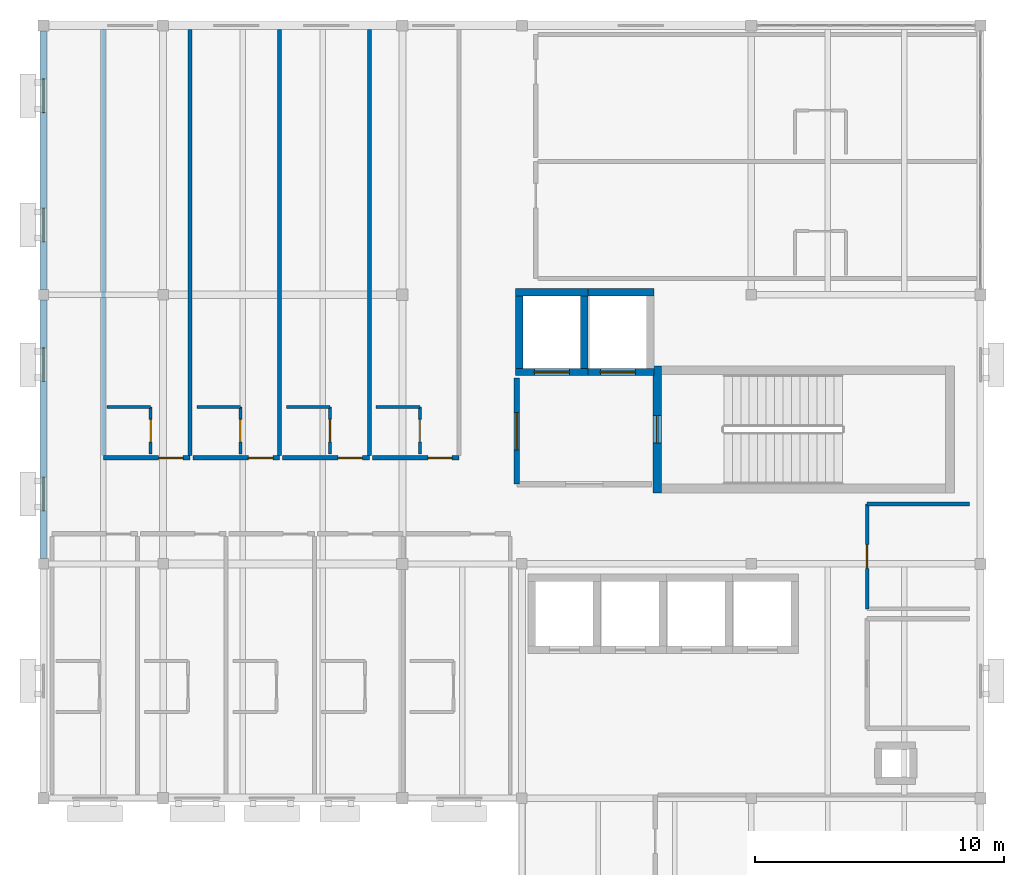
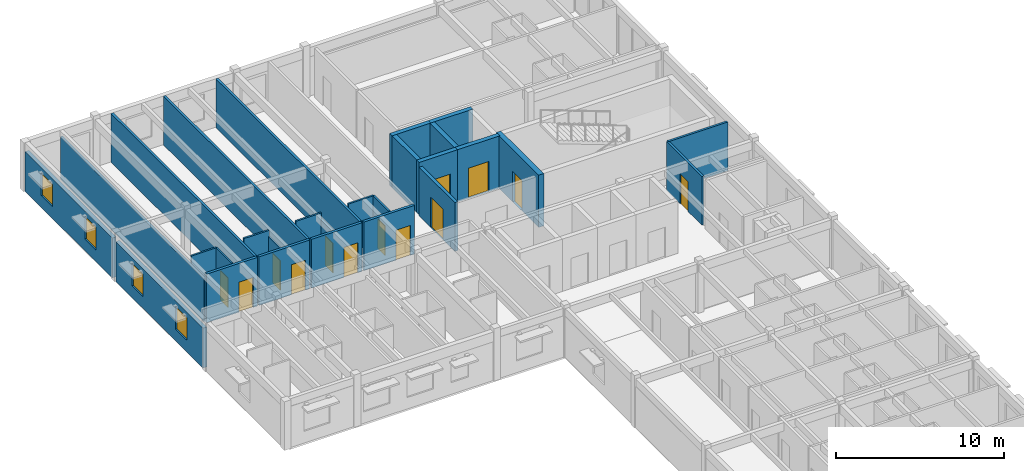
# One storey, part 9 of 14: 28 walls, 13 doors, 4 windows, 17 openings.
"""IFC4 building model written with IfcOpenShell, lengths in metres."""

from ifc_helpers import new_model, si_unit, direction, frame, frame_2d, origin, place, context, subcontext, project, spatial, rectangle, extrude, material, layer, layer_set, type_object, element, fill, save


model = new_model("IFC4")

# Units and contexts
model_context = context("Model", 3, precision=1e-05, world=origin(), true_north=direction((0.0, 1.0)))
body_context = subcontext(model_context, "Body", "Model", "MODEL_VIEW")
ifc_project = project(units=[si_unit("LENGTHUNIT", "METRE"), si_unit("AREAUNIT", "SQUARE_METRE"), si_unit("VOLUMEUNIT", "CUBIC_METRE"), si_unit("PLANEANGLEUNIT", "RADIAN"), si_unit("MASSUNIT", "GRAM", prefix="KILO")], contexts=[model_context])

# Site, building, storey
site_placement = place(None, origin())
site = spatial("IfcSite", under=ifc_project, at=site_placement, CompositionType="ELEMENT")
building_placement = place(site_placement, origin())
building = spatial("IfcBuilding", under=site, at=building_placement, Name="Veldera Park Congress Hotel", CompositionType="ELEMENT")
storey_placement = place(building_placement, frame((0.0, 0.0, 42.800048828125)))
storey = spatial("IfcBuildingStorey", under=building, at=storey_placement, Name="L10", CompositionType="ELEMENT", Elevation=42.800048828125)

# Wall, openings, windows
ifc_material_1 = material(Name="Cross-laminated timber CLT V2M1.1", Category="wood")
ifc_layer_1 = layer(ifc_material_1, 0.264892578125)
ifc_layer_set_1 = layer_set([ifc_layer_1], Name="Cross-laminated timber CLT V2M1.1")
wall_type_1 = type_object("IfcWallType", Name="EW-CLT265", PredefinedType="STANDARD", material=ifc_layer_set_1)
wall_1_placement = place(storey_placement, frame((46.39990234375, 57.777099609375, 0.0), z_axis=(0.0, 0.0, 1.0), x_axis=(0.0, -1.0, 0.0)))
wall_1 = element("IfcWall", 1, at=wall_1_placement, inside=storey, type_object=wall_type_1, Name="L10 Exterior Wall EW3-L10-0437", PredefinedType="STANDARD", context=body_context, shape_type="SweptSolid", body=[
    extrude(rectangle(XDim=10.369140625, YDim=0.264892578125, at=frame_2d((5.1845703125, 0.0))), origin(), (0.0, 0.0, 1.0), 2.89501953125),
])
opening_1_placement = place(wall_1_placement, frame((1.917236328125, 0.0, 0.85009765625)))
opening_1 = element("IfcOpeningElement", 2, at=opening_1_placement, cuts=wall_1, Name="Opening WIN-1350", PredefinedType="OPENING", context=body_context, shape_type="SweptSolid", body=[
    extrude(rectangle(XDim=1.35009765625, YDim=1.64990234375, at=frame_2d((0.675048828125, 0.824951171875))), frame((0.0, 0.14453125, 0.0), z_axis=(0.0, -1.0, 0.0), x_axis=(1.0, 0.0, 0.0)), (0.0, 0.0, 1.0), 0.288818359375),
])
opening_2_placement = place(wall_1_placement, frame((7.101806640625, 0.0, 0.85009765625)))
opening_2 = element("IfcOpeningElement", 3, at=opening_2_placement, cuts=wall_1, Name="Opening WIN-1350", PredefinedType="OPENING", context=body_context, shape_type="SweptSolid", body=[
    extrude(rectangle(XDim=1.35009765625, YDim=1.64990234375, at=frame_2d((0.675048828125, 0.824951171875))), frame((0.0, 0.14453125, 0.0), z_axis=(0.0, -1.0, 0.0), x_axis=(1.0, 0.0, 0.0)), (0.0, 0.0, 1.0), 0.288818359375),
])
ifc_material_2 = material(Name="Low-E Triple Insulating Glass Unit (SHGC 0.22)", Category="glass")
window_type = type_object("IfcWindowType", Name="WIN-1350", PartitioningType="SINGLE_PANEL", PredefinedType="WINDOW", material=ifc_material_2)
window_1_placement = place(opening_1_placement, origin())
window_1 = element("IfcWindow", 4, at=window_1_placement, inside=storey, type_object=window_type, Name="L10 Window WIN-1350 333", OverallHeight=1.64990234375, OverallWidth=1.35009765625, PartitioningType="SINGLE_PANEL", PredefinedType="WINDOW", context=body_context, shape_type="SweptSolid", body=[
    extrude(rectangle(XDim=1.35009765625, YDim=1.64990234375, at=frame_2d((0.675048828125, 0.824951171875))), frame((0.0, 0.030029296875, 0.0), z_axis=(0.0, -1.0, 0.0), x_axis=(1.0, 0.0, 0.0)), (0.0, 0.0, 1.0), 0.06005859375),
])
fill(opening_1, window_1)
window_2_placement = place(opening_2_placement, origin())
window_2 = element("IfcWindow", 5, at=window_2_placement, inside=storey, type_object=window_type, Name="L10 Window WIN-1350 334", OverallHeight=1.64990234375, OverallWidth=1.35009765625, PartitioningType="SINGLE_PANEL", PredefinedType="WINDOW", context=body_context, shape_type="SweptSolid", body=[
    extrude(rectangle(XDim=1.35009765625, YDim=1.64990234375, at=frame_2d((0.675048828125, 0.824951171875))), frame((0.0, 0.030029296875, 0.0), z_axis=(0.0, -1.0, 0.0), x_axis=(1.0, 0.0, 0.0)), (0.0, 0.0, 1.0), 0.06005859375),
])
fill(opening_2, window_2)

wall_2_placement = place(storey_placement, frame((46.39990234375, 46.991943359375, 0.0), z_axis=(0.0, 0.0, 1.0), x_axis=(0.0, -1.0, 0.0)))
wall_2 = element("IfcWall", 6, at=wall_2_placement, inside=storey, type_object=wall_type_1, Name="L10 Exterior Wall EW3-L10-0438", PredefinedType="STANDARD", context=body_context, shape_type="SweptSolid", body=[
    extrude(rectangle(XDim=10.384033203125, YDim=0.264892578125, at=frame_2d((5.19189453125, 0.0))), origin(), (0.0, 0.0, 1.0), 2.89501953125),
])
opening_3_placement = place(wall_2_placement, frame((1.9208984375, 0.0, 0.85009765625)))
opening_3 = element("IfcOpeningElement", 7, at=opening_3_placement, cuts=wall_2, Name="Opening WIN-1350", PredefinedType="OPENING", context=body_context, shape_type="SweptSolid", body=[
    extrude(rectangle(XDim=1.35009765625, YDim=1.64990234375, at=frame_2d((0.675048828125, 0.824951171875))), frame((0.0, 0.14453125, 0.0), z_axis=(0.0, -1.0, 0.0), x_axis=(1.0, 0.0, 0.0)), (0.0, 0.0, 1.0), 0.288818359375),
])
opening_4_placement = place(wall_2_placement, frame((7.113037109375, 0.0, 0.85009765625)))
opening_4 = element("IfcOpeningElement", 8, at=opening_4_placement, cuts=wall_2, Name="Opening WIN-1350", PredefinedType="OPENING", context=body_context, shape_type="SweptSolid", body=[
    extrude(rectangle(XDim=1.35009765625, YDim=1.64990234375, at=frame_2d((0.675048828125, 0.824951171875))), frame((0.0, 0.14453125, 0.0), z_axis=(0.0, -1.0, 0.0), x_axis=(1.0, 0.0, 0.0)), (0.0, 0.0, 1.0), 0.288818359375),
])
window_3_placement = place(opening_3_placement, origin())
window_3 = element("IfcWindow", 9, at=window_3_placement, inside=storey, type_object=window_type, Name="L10 Window WIN-1350 335", OverallHeight=1.64990234375, OverallWidth=1.35009765625, PartitioningType="SINGLE_PANEL", PredefinedType="WINDOW", context=body_context, shape_type="SweptSolid", body=[
    extrude(rectangle(XDim=1.35009765625, YDim=1.64990234375, at=frame_2d((0.675048828125, 0.824951171875))), frame((0.0, 0.030029296875, 0.0), z_axis=(0.0, -1.0, 0.0), x_axis=(1.0, 0.0, 0.0)), (0.0, 0.0, 1.0), 0.06005859375),
])
fill(opening_3, window_3)
window_4_placement = place(opening_4_placement, origin())
window_4 = element("IfcWindow", 10, at=window_4_placement, inside=storey, type_object=window_type, Name="L10 Window WIN-1350 336", OverallHeight=1.64990234375, OverallWidth=1.35009765625, PartitioningType="SINGLE_PANEL", PredefinedType="WINDOW", context=body_context, shape_type="SweptSolid", body=[
    extrude(rectangle(XDim=1.35009765625, YDim=1.64990234375, at=frame_2d((0.675048828125, 0.824951171875))), frame((0.0, 0.030029296875, 0.0), z_axis=(0.0, -1.0, 0.0), x_axis=(1.0, 0.0, 0.0)), (0.0, 0.0, 1.0), 0.06005859375),
])
fill(opening_4, window_4)

# Wall, opening, door
ifc_material_3 = material(Name="Fire-Rated Gypsum Board on Cold-Formed Steel Studs", Category="steel")
ifc_layer_2 = layer(ifc_material_3, 0.1201171875)
ifc_layer_set_2 = layer_set([ifc_layer_2], Name="Fire-Rated Gypsum Board on Cold-Formed Steel Studs")
wall_type_2 = type_object("IfcWallType", Name="IW-BATH120", PredefinedType="PARTITIONING", material=ifc_layer_set_2)
wall_3_placement = place(storey_placement, frame((50.699951171875, 40.800048828125, 0.0), z_axis=(0.0, 0.0, 1.0), x_axis=(0.0, 1.0, 0.0)))
wall_3 = element("IfcWall", 11, at=wall_3_placement, inside=storey, type_object=wall_type_2, Name="L10 Partition Wall IW3-L10-01780", PredefinedType="PARTITIONING", context=body_context, shape_type="SweptSolid", body=[
    extrude(rectangle(XDim=1.89990234375, YDim=0.1201171875, at=frame_2d((0.949951171875, 0.0))), origin(), (0.0, 0.0, 1.0), 3.5400390625),
])
opening_5_placement = place(wall_3_placement, frame((0.5, 0.0, 0.0)))
opening_5 = element("IfcOpeningElement", 12, at=opening_5_placement, cuts=wall_3, Name="Opening ID-BATH090", PredefinedType="OPENING", context=body_context, shape_type="SweptSolid", body=[
    extrude(rectangle(XDim=0.89990234375, YDim=2.14990234375, at=frame_2d((0.449951171875, 1.074951171875))), frame((0.0, 0.072021484375, 0.0), z_axis=(0.0, -1.0, 0.0), x_axis=(1.0, 0.0, 0.0)), (0.0, 0.0, 1.0), 0.14404296875),
])
ifc_material_4 = material(Name="Solid Core White Oak Architectural Door", Category="wood")
door_type_1 = type_object("IfcDoorType", Name="ID-BATH090", OperationType="NOTDEFINED", PredefinedType="DOOR", material=ifc_material_4)
door_1_placement = place(opening_5_placement, origin())
door_1 = element("IfcDoor", 13, at=door_1_placement, inside=storey, type_object=door_type_1, Name="L10 En-suite 295 Door ID3-L10-0729 (DR3-ID3-L10-0729)", OperationType="SINGLE_SWING_LEFT", OverallHeight=2.14990234375, OverallWidth=0.89990234375, PredefinedType="DOOR", context=body_context, shape_type="SweptSolid", body=[
    extrude(rectangle(XDim=0.89990234375, YDim=2.14990234375, at=frame_2d((0.449951171875, 1.074951171875))), frame((0.0, 0.02490234375, 0.0), z_axis=(0.0, -1.0, 0.0), x_axis=(1.0, 0.0, 0.0)), (0.0, 0.0, 1.0), 0.050048828125),
])
fill(opening_5, door_1)

# Wall
wall_4_placement = place(storey_placement, frame((48.949951171875, 42.699951171875, 0.0), z_axis=(0.0, 0.0, 1.0), x_axis=(1.0, 0.0, 0.0)))
element("IfcWall", 14, at=wall_4_placement, inside=storey, type_object=wall_type_2, Name="L10 Partition Wall IW3-L10-01781", PredefinedType="PARTITIONING", context=body_context, shape_type="SweptSolid", body=[
    extrude(rectangle(XDim=1.75, YDim=0.1201171875, at=frame_2d((0.875, 0.0))), origin(), (0.0, 0.0, 1.0), 3.5400390625),
])

# Wall, opening, door
wall_5_placement = place(storey_placement, frame((54.300048828125, 40.800048828125, 0.0), z_axis=(0.0, 0.0, 1.0), x_axis=(0.0, 1.0, 0.0)))
wall_5 = element("IfcWall", 15, at=wall_5_placement, inside=storey, type_object=wall_type_2, Name="L10 Partition Wall IW3-L10-01784", PredefinedType="PARTITIONING", context=body_context, shape_type="SweptSolid", body=[
    extrude(rectangle(XDim=1.89990234375, YDim=0.1201171875, at=frame_2d((0.949951171875, 0.0))), origin(), (0.0, 0.0, 1.0), 3.0849609375),
])
opening_6_placement = place(wall_5_placement, frame((0.5, 0.0, 0.0)))
opening_6 = element("IfcOpeningElement", 16, at=opening_6_placement, cuts=wall_5, Name="Opening ID-BATH090", PredefinedType="OPENING", context=body_context, shape_type="SweptSolid", body=[
    extrude(rectangle(XDim=0.89990234375, YDim=2.14990234375, at=frame_2d((0.449951171875, 1.074951171875))), frame((0.0, 0.072021484375, 0.0), z_axis=(0.0, -1.0, 0.0), x_axis=(1.0, 0.0, 0.0)), (0.0, 0.0, 1.0), 0.14404296875),
])
door_2_placement = place(opening_6_placement, origin())
door_2 = element("IfcDoor", 17, at=door_2_placement, inside=storey, type_object=door_type_1, Name="L10 En-suite 296 Door ID3-L10-0731 (DR3-ID3-L10-0731)", OperationType="SINGLE_SWING_LEFT", OverallHeight=2.14990234375, OverallWidth=0.89990234375, PredefinedType="DOOR", context=body_context, shape_type="SweptSolid", body=[
    extrude(rectangle(XDim=0.89990234375, YDim=2.14990234375, at=frame_2d((0.449951171875, 1.074951171875))), frame((0.0, 0.02490234375, 0.0), z_axis=(0.0, -1.0, 0.0), x_axis=(1.0, 0.0, 0.0)), (0.0, 0.0, 1.0), 0.050048828125),
])
fill(opening_6, door_2)

# Wall
wall_6_placement = place(storey_placement, frame((52.550048828125, 42.699951171875, 0.0), z_axis=(0.0, 0.0, 1.0), x_axis=(1.0, 0.0, 0.0)))
element("IfcWall", 18, at=wall_6_placement, inside=storey, type_object=wall_type_2, Name="L10 Partition Wall IW3-L10-01785", PredefinedType="PARTITIONING", context=body_context, shape_type="SweptSolid", body=[
    extrude(rectangle(XDim=1.75, YDim=0.1201171875, at=frame_2d((0.875, 0.0))), origin(), (0.0, 0.0, 1.0), 3.5400390625),
])

# Wall, opening, door
wall_7_placement = place(storey_placement, frame((57.89990234375, 40.800048828125, 0.0), z_axis=(0.0, 0.0, 1.0), x_axis=(0.0, 1.0, 0.0)))
wall_7 = element("IfcWall", 19, at=wall_7_placement, inside=storey, type_object=wall_type_2, Name="L10 Partition Wall IW3-L10-01788", PredefinedType="PARTITIONING", context=body_context, shape_type="SweptSolid", body=[
    extrude(rectangle(XDim=1.89990234375, YDim=0.1201171875, at=frame_2d((0.949951171875, 0.0))), origin(), (0.0, 0.0, 1.0), 3.0849609375),
])
opening_7_placement = place(wall_7_placement, frame((0.5, 0.0, 0.0)))
opening_7 = element("IfcOpeningElement", 20, at=opening_7_placement, cuts=wall_7, Name="Opening ID-BATH090", PredefinedType="OPENING", context=body_context, shape_type="SweptSolid", body=[
    extrude(rectangle(XDim=0.89990234375, YDim=2.14990234375, at=frame_2d((0.449951171875, 1.074951171875))), frame((0.0, 0.072021484375, 0.0), z_axis=(0.0, -1.0, 0.0), x_axis=(1.0, 0.0, 0.0)), (0.0, 0.0, 1.0), 0.14404296875),
])
door_3_placement = place(opening_7_placement, origin())
door_3 = element("IfcDoor", 21, at=door_3_placement, inside=storey, type_object=door_type_1, Name="L10 En-suite 297 Door ID3-L10-0733 (DR3-ID3-L10-0733)", OperationType="SINGLE_SWING_LEFT", OverallHeight=2.14990234375, OverallWidth=0.89990234375, PredefinedType="DOOR", context=body_context, shape_type="SweptSolid", body=[
    extrude(rectangle(XDim=0.89990234375, YDim=2.14990234375, at=frame_2d((0.449951171875, 1.074951171875))), frame((0.0, 0.02490234375, 0.0), z_axis=(0.0, -1.0, 0.0), x_axis=(1.0, 0.0, 0.0)), (0.0, 0.0, 1.0), 0.050048828125),
])
fill(opening_7, door_3)

# Wall
wall_8_placement = place(storey_placement, frame((56.14990234375, 42.699951171875, 0.0), z_axis=(0.0, 0.0, 1.0), x_axis=(1.0, 0.0, 0.0)))
element("IfcWall", 22, at=wall_8_placement, inside=storey, type_object=wall_type_2, Name="L10 Partition Wall IW3-L10-01789", PredefinedType="PARTITIONING", context=body_context, shape_type="SweptSolid", body=[
    extrude(rectangle(XDim=1.75, YDim=0.1201171875, at=frame_2d((0.875, 0.0))), origin(), (0.0, 0.0, 1.0), 3.5400390625),
])

# Wall, opening, door
wall_9_placement = place(storey_placement, frame((61.5, 40.800048828125, 0.0), z_axis=(0.0, 0.0, 1.0), x_axis=(0.0, 1.0, 0.0)))
wall_9 = element("IfcWall", 23, at=wall_9_placement, inside=storey, type_object=wall_type_2, Name="L10 Partition Wall IW3-L10-01792", PredefinedType="PARTITIONING", context=body_context, shape_type="SweptSolid", body=[
    extrude(rectangle(XDim=1.89990234375, YDim=0.1201171875, at=frame_2d((0.949951171875, 0.0))), origin(), (0.0, 0.0, 1.0), 3.5400390625),
])
opening_8_placement = place(wall_9_placement, frame((0.5, 0.0, 0.0)))
opening_8 = element("IfcOpeningElement", 24, at=opening_8_placement, cuts=wall_9, Name="Opening ID-BATH090", PredefinedType="OPENING", context=body_context, shape_type="SweptSolid", body=[
    extrude(rectangle(XDim=0.89990234375, YDim=2.14990234375, at=frame_2d((0.449951171875, 1.074951171875))), frame((0.0, 0.072021484375, 0.0), z_axis=(0.0, -1.0, 0.0), x_axis=(1.0, 0.0, 0.0)), (0.0, 0.0, 1.0), 0.14404296875),
])
door_4_placement = place(opening_8_placement, origin())
door_4 = element("IfcDoor", 25, at=door_4_placement, inside=storey, type_object=door_type_1, Name="L10 En-suite 298 Door ID3-L10-0735 (DR3-ID3-L10-0735)", OperationType="SINGLE_SWING_LEFT", OverallHeight=2.14990234375, OverallWidth=0.89990234375, PredefinedType="DOOR", context=body_context, shape_type="SweptSolid", body=[
    extrude(rectangle(XDim=0.89990234375, YDim=2.14990234375, at=frame_2d((0.449951171875, 1.074951171875))), frame((0.0, 0.02490234375, 0.0), z_axis=(0.0, -1.0, 0.0), x_axis=(1.0, 0.0, 0.0)), (0.0, 0.0, 1.0), 0.050048828125),
])
fill(opening_8, door_4)

# Wall
wall_10_placement = place(storey_placement, frame((59.75, 42.699951171875, 0.0), z_axis=(0.0, 0.0, 1.0), x_axis=(1.0, 0.0, 0.0)))
element("IfcWall", 26, at=wall_10_placement, inside=storey, type_object=wall_type_2, Name="L10 Partition Wall IW3-L10-01793", PredefinedType="PARTITIONING", context=body_context, shape_type="SweptSolid", body=[
    extrude(rectangle(XDim=1.75, YDim=0.1201171875, at=frame_2d((0.875, 0.0))), origin(), (0.0, 0.0, 1.0), 3.5400390625),
])

# Wall, opening, door
ifc_layer_3 = layer(ifc_material_3, 0.179931640625)
ifc_layer_set_3 = layer_set([ifc_layer_3], Name="Fire-Rated Gypsum Board on Cold-Formed Steel Studs")
wall_type_3 = type_object("IfcWallType", Name="IW-CORR180", PredefinedType="PARTITIONING", material=ifc_layer_set_3)
wall_11_placement = place(storey_placement, frame((48.800048828125, 40.64990234375, 0.0), z_axis=(0.0, 0.0, 1.0), x_axis=(1.0, 0.0, 0.0)))
wall_11 = element("IfcWall", 27, at=wall_11_placement, inside=storey, type_object=wall_type_3, Name="L10 Corridor Wall IW3-L10-01777", PredefinedType="PARTITIONING", context=body_context, shape_type="SweptSolid", body=[
    extrude(rectangle(XDim=3.47998046875, YDim=0.179931640625, at=frame_2d((1.739990234375, 0.0))), origin(), (0.0, 0.0, 1.0), 3.5400390625),
])
opening_9_placement = place(wall_11_placement, frame((2.219970703125, 0.0, 0.0)))
opening_9 = element("IfcOpeningElement", 28, at=opening_9_placement, cuts=wall_11, Name="Opening ID-UNIT098", PredefinedType="OPENING", context=body_context, shape_type="SweptSolid", body=[
    extrude(rectangle(XDim=0.97998046875, YDim=2.179931640625, at=frame_2d((0.489990234375, 1.08984375))), frame((0.0, 0.10205078125, 0.0), z_axis=(0.0, -1.0, 0.0), x_axis=(1.0, 0.0, 0.0)), (0.0, 0.0, 1.0), 0.203857421875),
])
door_type_2 = type_object("IfcDoorType", Name="ID-UNIT098", OperationType="NOTDEFINED", PredefinedType="DOOR", material=ifc_material_4)
door_5_placement = place(opening_9_placement, frame((0.97998046875, 0.0, 0.0), z_axis=(0.0, 0.0, 1.0), x_axis=(-1.0, 0.0, 0.0)))
door_5 = element("IfcDoor", 29, at=door_5_placement, inside=storey, type_object=door_type_2, Name="L10 Guestroom 295 Entry Door (DR3-UD3-L10-295)", OperationType="SINGLE_SWING_RIGHT", OverallHeight=2.179931640625, OverallWidth=0.97998046875, PredefinedType="DOOR", context=body_context, shape_type="SweptSolid", body=[
    extrude(rectangle(XDim=0.97998046875, YDim=2.179931640625, at=frame_2d((0.489990234375, 1.08984375))), frame((0.0, 0.02490234375, 0.0), z_axis=(0.0, -1.0, 0.0), x_axis=(1.0, 0.0, 0.0)), (0.0, 0.0, 1.0), 0.050048828125),
])
fill(opening_9, door_5)

wall_12_placement = place(storey_placement, frame((52.39990234375, 40.64990234375, 0.0), z_axis=(0.0, 0.0, 1.0), x_axis=(1.0, 0.0, 0.0)))
wall_12 = element("IfcWall", 30, at=wall_12_placement, inside=storey, type_object=wall_type_3, Name="L10 Corridor Wall IW3-L10-01782", PredefinedType="PARTITIONING", context=body_context, shape_type="SweptSolid", body=[
    extrude(rectangle(XDim=3.47998046875, YDim=0.179931640625, at=frame_2d((1.739990234375, 0.0))), origin(), (0.0, 0.0, 1.0), 3.5400390625),
])
opening_10_placement = place(wall_12_placement, frame((2.219970703125, 0.0, 0.0)))
opening_10 = element("IfcOpeningElement", 31, at=opening_10_placement, cuts=wall_12, Name="Opening ID-UNIT098", PredefinedType="OPENING", context=body_context, shape_type="SweptSolid", body=[
    extrude(rectangle(XDim=0.97998046875, YDim=2.179931640625, at=frame_2d((0.489990234375, 1.08984375))), frame((0.0, 0.10205078125, 0.0), z_axis=(0.0, -1.0, 0.0), x_axis=(1.0, 0.0, 0.0)), (0.0, 0.0, 1.0), 0.203857421875),
])
door_6_placement = place(opening_10_placement, frame((0.97998046875, 0.0, 0.0), z_axis=(0.0, 0.0, 1.0), x_axis=(-1.0, 0.0, 0.0)))
door_6 = element("IfcDoor", 32, at=door_6_placement, inside=storey, type_object=door_type_2, Name="L10 Guestroom 296 Entry Door (DR3-UD3-L10-296)", OperationType="SINGLE_SWING_RIGHT", OverallHeight=2.179931640625, OverallWidth=0.97998046875, PredefinedType="DOOR", context=body_context, shape_type="SweptSolid", body=[
    extrude(rectangle(XDim=0.97998046875, YDim=2.179931640625, at=frame_2d((0.489990234375, 1.08984375))), frame((0.0, 0.02490234375, 0.0), z_axis=(0.0, -1.0, 0.0), x_axis=(1.0, 0.0, 0.0)), (0.0, 0.0, 1.0), 0.050048828125),
])
fill(opening_10, door_6)

wall_13_placement = place(storey_placement, frame((56.0, 40.64990234375, 0.0), z_axis=(0.0, 0.0, 1.0), x_axis=(1.0, 0.0, 0.0)))
wall_13 = element("IfcWall", 33, at=wall_13_placement, inside=storey, type_object=wall_type_3, Name="L10 Corridor Wall IW3-L10-01786", PredefinedType="PARTITIONING", context=body_context, shape_type="SweptSolid", body=[
    extrude(rectangle(XDim=3.47998046875, YDim=0.179931640625, at=frame_2d((1.739990234375, 0.0))), origin(), (0.0, 0.0, 1.0), 3.5400390625),
])
opening_11_placement = place(wall_13_placement, frame((2.219970703125, 0.0, 0.0)))
opening_11 = element("IfcOpeningElement", 34, at=opening_11_placement, cuts=wall_13, Name="Opening ID-UNIT098", PredefinedType="OPENING", context=body_context, shape_type="SweptSolid", body=[
    extrude(rectangle(XDim=0.97998046875, YDim=2.179931640625, at=frame_2d((0.489990234375, 1.08984375))), frame((0.0, 0.10205078125, 0.0), z_axis=(0.0, -1.0, 0.0), x_axis=(1.0, 0.0, 0.0)), (0.0, 0.0, 1.0), 0.203857421875),
])
door_7_placement = place(opening_11_placement, frame((0.97998046875, 0.0, 0.0), z_axis=(0.0, 0.0, 1.0), x_axis=(-1.0, 0.0, 0.0)))
door_7 = element("IfcDoor", 35, at=door_7_placement, inside=storey, type_object=door_type_2, Name="L10 Guestroom 297 Entry Door (DR3-UD3-L10-297)", OperationType="SINGLE_SWING_RIGHT", OverallHeight=2.179931640625, OverallWidth=0.97998046875, PredefinedType="DOOR", context=body_context, shape_type="SweptSolid", body=[
    extrude(rectangle(XDim=0.97998046875, YDim=2.179931640625, at=frame_2d((0.489990234375, 1.08984375))), frame((0.0, 0.02490234375, 0.0), z_axis=(0.0, -1.0, 0.0), x_axis=(1.0, 0.0, 0.0)), (0.0, 0.0, 1.0), 0.050048828125),
])
fill(opening_11, door_7)

wall_14_placement = place(storey_placement, frame((59.60009765625, 40.64990234375, 0.0), z_axis=(0.0, 0.0, 1.0), x_axis=(1.0, 0.0, 0.0)))
wall_14 = element("IfcWall", 36, at=wall_14_placement, inside=storey, type_object=wall_type_3, Name="L10 Corridor Wall IW3-L10-01790", PredefinedType="PARTITIONING", context=body_context, shape_type="SweptSolid", body=[
    extrude(rectangle(XDim=3.47998046875, YDim=0.179931640625, at=frame_2d((1.739990234375, 0.0))), origin(), (0.0, 0.0, 1.0), 3.5400390625),
])
opening_12_placement = place(wall_14_placement, frame((2.219970703125, 0.0, 0.0)))
opening_12 = element("IfcOpeningElement", 37, at=opening_12_placement, cuts=wall_14, Name="Opening ID-UNIT098", PredefinedType="OPENING", context=body_context, shape_type="SweptSolid", body=[
    extrude(rectangle(XDim=0.97998046875, YDim=2.179931640625, at=frame_2d((0.489990234375, 1.08984375))), frame((0.0, 0.10205078125, 0.0), z_axis=(0.0, -1.0, 0.0), x_axis=(1.0, 0.0, 0.0)), (0.0, 0.0, 1.0), 0.203857421875),
])
door_8_placement = place(opening_12_placement, frame((0.97998046875, 0.0, 0.0), z_axis=(0.0, 0.0, 1.0), x_axis=(-1.0, 0.0, 0.0)))
door_8 = element("IfcDoor", 38, at=door_8_placement, inside=storey, type_object=door_type_2, Name="L10 Guestroom 298 Entry Door (DR3-UD3-L10-298)", OperationType="SINGLE_SWING_RIGHT", OverallHeight=2.179931640625, OverallWidth=0.97998046875, PredefinedType="DOOR", context=body_context, shape_type="SweptSolid", body=[
    extrude(rectangle(XDim=0.97998046875, YDim=2.179931640625, at=frame_2d((0.489990234375, 1.08984375))), frame((0.0, 0.02490234375, 0.0), z_axis=(0.0, -1.0, 0.0), x_axis=(1.0, 0.0, 0.0)), (0.0, 0.0, 1.0), 0.050048828125),
])
fill(opening_12, door_8)

ifc_material_5 = material(Name="Concrete f'c 40 MPa (5,800 psi)", Category="concrete")
ifc_layer_4 = layer(ifc_material_5, 0.219970703125)
ifc_layer_set_4 = layer_set([ifc_layer_4], Name="Concrete f'c 40 MPa (5,800 psi)")
wall_type_4 = type_object("IfcWallType", Name="IW-FIRE220", PredefinedType="STANDARD", material=ifc_layer_set_4)
wall_15_placement = place(storey_placement, frame((65.39990234375, 43.85009765625, 0.0), z_axis=(0.0, 0.0, 1.0), x_axis=(0.0, -1.0, 0.0)))
wall_15 = element("IfcWall", 39, at=wall_15_placement, inside=storey, type_object=wall_type_4, Name="L10 Partition Wall IW3-L10-00333", PredefinedType="STANDARD", context=body_context, shape_type="SweptSolid", body=[
    extrude(rectangle(XDim=4.25, YDim=0.219970703125, at=frame_2d((2.125, 0.0))), origin(), (0.0, 0.0, 1.0), 3.5400390625),
])
opening_13_placement = place(wall_15_placement, frame((1.375, 0.0, 0.0)))
opening_13 = element("IfcOpeningElement", 40, at=opening_13_placement, cuts=wall_15, Name="Opening ID-LOB150", PredefinedType="OPENING", context=body_context, shape_type="SweptSolid", body=[
    extrude(rectangle(XDim=1.5, YDim=2.199951171875, at=frame_2d((0.75, 1.10009765625))), frame((0.0, 0.1220703125, 0.0), z_axis=(0.0, -1.0, 0.0), x_axis=(1.0, 0.0, 0.0)), (0.0, 0.0, 1.0), 0.243896484375),
])
ifc_material_6 = material(Name="Hollow Metal Fire-Rated Steel Door", Category="steel")
door_type_3 = type_object("IfcDoorType", Name="ID-LOB150", OperationType="DOUBLE_DOOR_SINGLE_SWING", PredefinedType="DOOR", material=ifc_material_6)
door_9_placement = place(opening_13_placement, origin())
door_9 = element("IfcDoor", 41, at=door_9_placement, inside=storey, type_object=door_type_3, Name="L10 Firefighting Lobby Door ID3-L10-0126 (DR3-ID3-L10-0126)", OperationType="DOUBLE_DOOR_SINGLE_SWING", OverallHeight=2.199951171875, OverallWidth=1.5, PredefinedType="DOOR", context=body_context, shape_type="SweptSolid", body=[
    extrude(rectangle(XDim=1.5, YDim=2.199951171875, at=frame_2d((0.75, 1.10009765625))), frame((0.0, 0.02490234375, 0.0), z_axis=(0.0, -1.0, 0.0), x_axis=(1.0, 0.0, 0.0)), (0.0, 0.0, 1.0), 0.050048828125),
])
fill(opening_13, door_9)

# Wall
ifc_layer_5 = layer(ifc_material_3, 0.14990234375)
ifc_layer_set_5 = layer_set([ifc_layer_5], Name="Fire-Rated Gypsum Board on Cold-Formed Steel Studs")
wall_type_5 = type_object("IfcWallType", Name="IW-PLMB150", PredefinedType="PLUMBINGWALL", material=ifc_layer_set_5)
wall_16_placement = place(storey_placement, frame((83.550048828125, 38.800048828125, 0.0), z_axis=(0.0, 0.0, 1.0), x_axis=(-1.0, 0.0, 0.0)))
element("IfcWall", 42, at=wall_16_placement, inside=storey, type_object=wall_type_5, Name="L10 Partition Wall IW3-L10-00341", PredefinedType="PLUMBINGWALL", context=body_context, shape_type="SweptSolid", body=[
    extrude(rectangle(XDim=4.10009765625, YDim=0.14990234375, at=frame_2d((2.050048828125, 0.0))), origin(), (0.0, 0.0, 1.0), 3.5400390625),
])

# Wall, opening, door
wall_17_placement = place(storey_placement, frame((79.449951171875, 38.800048828125, 0.0), z_axis=(0.0, 0.0, 1.0), x_axis=(0.0, -1.0, 0.0)))
wall_17 = element("IfcWall", 43, at=wall_17_placement, inside=storey, type_object=wall_type_5, Name="L10 Partition Wall IW3-L10-00342", PredefinedType="PLUMBINGWALL", context=body_context, shape_type="SweptSolid", body=[
    extrude(rectangle(XDim=4.199951171875, YDim=0.14990234375, at=frame_2d((2.10009765625, 0.0))), origin(), (0.0, 0.0, 1.0), 3.5400390625),
])
opening_14_placement = place(wall_17_placement, frame((1.625, 0.0, 0.0)))
opening_14 = element("IfcOpeningElement", 44, at=opening_14_placement, cuts=wall_17, Name="Opening ID-WC095", PredefinedType="OPENING", context=body_context, shape_type="SweptSolid", body=[
    extrude(rectangle(XDim=0.949951171875, YDim=2.14990234375, at=frame_2d((0.47509765625, 1.074951171875))), frame((0.0, 0.0869140625, 0.0), z_axis=(0.0, -1.0, 0.0), x_axis=(1.0, 0.0, 0.0)), (0.0, 0.0, 1.0), 0.173828125),
])
door_type_4 = type_object("IfcDoorType", Name="ID-WC095", OperationType="NOTDEFINED", PredefinedType="DOOR", material=ifc_material_4)
door_10_placement = place(opening_14_placement, origin())
door_10 = element("IfcDoor", 45, at=door_10_placement, inside=storey, type_object=door_type_4, Name="L10 L10 Public Accessible WC Door ID3-L10-0129 (DR3-ID3-L10-0129)", OperationType="SINGLE_SWING_RIGHT", OverallHeight=2.14990234375, OverallWidth=0.949951171875, PredefinedType="DOOR", context=body_context, shape_type="SweptSolid", body=[
    extrude(rectangle(XDim=0.949951171875, YDim=2.14990234375, at=frame_2d((0.47509765625, 1.074951171875))), frame((0.0, 0.02490234375, 0.0), z_axis=(0.0, -1.0, 0.0), x_axis=(1.0, 0.0, 0.0)), (0.0, 0.0, 1.0), 0.050048828125),
])
fill(opening_14, door_10)

# Walls
ifc_layer_6 = layer(ifc_material_1, 0.159912109375)
ifc_layer_set_6 = layer_set([ifc_layer_6], Name="Cross-laminated timber CLT V2M1.1")
wall_type_6 = type_object("IfcWallType", Name="IW-UNIT160", PredefinedType="PARTITIONING", material=ifc_layer_set_6)
wall_18_placement = place(storey_placement, frame((48.800048828125, 40.75, 0.0), z_axis=(0.0, 0.0, 1.0), x_axis=(0.0, 1.0, 0.0)))
element("IfcWall", 46, at=wall_18_placement, inside=storey, type_object=wall_type_6, Name="L10 Partition Wall IW3-L10-01778", PredefinedType="PARTITIONING", context=body_context, shape_type="SweptSolid", body=[
    extrude(rectangle(XDim=17.090087890625, YDim=0.159912109375, at=frame_2d((8.544921875, 0.0))), origin(), (0.0, 0.0, 1.0), 3.0849609375),
])
for number, where, z_axis, x_axis, name in (
    (47, (52.280029296875, 40.75, 0.0), (0.0, 0.0, 1.0), (0.0, 1.0, 0.0), "L10 Partition Wall IW3-L10-01779"),
    (48, (55.8798828125, 40.75, 0.0), (0.0, 0.0, 1.0), (0.0, 1.0, 0.0), "L10 Partition Wall IW3-L10-01783"),
    (49, (59.47998046875, 40.75, 0.0), (0.0, 0.0, 1.0), (0.0, 1.0, 0.0), "L10 Partition Wall IW3-L10-01787"),
):
    element("IfcWall", number, at=place(storey_placement, frame(where, z_axis=z_axis, x_axis=x_axis)), inside=storey, type_object=wall_type_6, Name=name, PredefinedType="PARTITIONING", context=body_context, shape_type="SweptSolid", body=[
        extrude(rectangle(XDim=17.090087890625, YDim=0.159912109375, at=frame_2d((8.544921875, 0.0))), origin(), (0.0, 0.0, 1.0), 3.5400390625),
    ])

# Wall, opening, door
ifc_layer_7 = layer(ifc_material_5, 0.35009765625)
ifc_layer_set_7 = layer_set([ifc_layer_7], Name="Concrete f'c 40 MPa (5,800 psi)")
wall_type_7 = type_object("IfcWallType", Name="SW-CORE350", PredefinedType="SHEAR", material=ifc_layer_set_7)
wall_19_placement = place(storey_placement, frame((71.02490234375, 44.35009765625, 0.0), z_axis=(0.0, 0.0, 1.0), x_axis=(0.0, -1.0, 0.0)))
wall_19 = element("IfcWall", 50, at=wall_19_placement, inside=storey, type_object=wall_type_7, Name="Stair ST1 Core Wall L10-W", PredefinedType="SHEAR", context=body_context, shape_type="SweptSolid", body=[
    extrude(rectangle(XDim=5.10009765625, YDim=0.35009765625, at=frame_2d((2.550048828125, 0.0))), origin(), (0.0, 0.0, 1.0), 3.800048828125),
])
opening_15_placement = place(wall_19_placement, frame((2.0, 0.0, 0.0)))
opening_15 = element("IfcOpeningElement", 51, at=opening_15_placement, cuts=wall_19, Name="Opening ID-STAIR110", PredefinedType="OPENING", context=body_context, shape_type="SweptSolid", body=[
    extrude(rectangle(XDim=1.10009765625, YDim=2.199951171875, at=frame_2d((0.550048828125, 1.10009765625))), frame((0.0, 0.18701171875, 0.0), z_axis=(0.0, -1.0, 0.0), x_axis=(1.0, 0.0, 0.0)), (0.0, 0.0, 1.0), 0.3740234375),
])
door_type_5 = type_object("IfcDoorType", Name="ID-STAIR110", OperationType="NOTDEFINED", PredefinedType="DOOR", material=ifc_material_6)
door_11_placement = place(opening_15_placement, origin())
door_11 = element("IfcDoor", 52, at=door_11_placement, inside=storey, type_object=door_type_5, Name="L10 Stair ST1 Fire Door (DR3-SD-ST1-L10)", OperationType="SINGLE_SWING_RIGHT", OverallHeight=2.199951171875, OverallWidth=1.10009765625, PredefinedType="DOOR", context=body_context, shape_type="SweptSolid", body=[
    extrude(rectangle(XDim=1.10009765625, YDim=2.199951171875, at=frame_2d((0.550048828125, 1.10009765625))), frame((0.0, 0.02490234375, 0.0), z_axis=(0.0, -1.0, 0.0), x_axis=(1.0, 0.0, 0.0)), (0.0, 0.0, 1.0), 0.050048828125),
])
fill(opening_15, door_11)

ifc_layer_8 = layer(ifc_material_5, 0.300048828125)
ifc_layer_set_8 = layer_set([ifc_layer_8], Name="Concrete f'c 40 MPa (5,800 psi)")
wall_type_8 = type_object("IfcWallType", Name="SW-SHFT300", PredefinedType="SHEAR", material=ifc_layer_set_8)
wall_20_placement = place(storey_placement, frame((65.35009765625, 44.10009765625, 0.0), z_axis=(0.0, 0.0, 1.0), x_axis=(1.0, 0.0, 0.0)))
wall_20 = element("IfcWall", 53, at=wall_20_placement, inside=storey, type_object=wall_type_8, Name="Lift FL-01 Shaft Wall L10-S", PredefinedType="SHEAR", context=body_context, shape_type="SweptSolid", body=[
    extrude(rectangle(XDim=2.89990234375, YDim=0.300048828125, at=frame_2d((1.449951171875, 0.0))), origin(), (0.0, 0.0, 1.0), 3.800048828125),
])
opening_16_placement = place(wall_20_placement, frame((0.75, 0.0, 0.0)))
opening_16 = element("IfcOpeningElement", 54, at=opening_16_placement, cuts=wall_20, Name="Opening LD-140", PredefinedType="OPENING", context=body_context, shape_type="SweptSolid", body=[
    extrude(rectangle(XDim=1.39990234375, YDim=2.199951171875, at=frame_2d((0.699951171875, 1.10009765625))), frame((0.0, 0.162109375, 0.0), z_axis=(0.0, -1.0, 0.0), x_axis=(1.0, 0.0, 0.0)), (0.0, 0.0, 1.0), 0.323974609375),
])
door_type_6 = type_object("IfcDoorType", Name="LD-140", OperationType="DOUBLE_DOOR_SLIDING", PredefinedType="DOOR", material=ifc_material_6)
door_12_placement = place(opening_16_placement, origin())
door_12 = element("IfcDoor", 55, at=door_12_placement, inside=storey, type_object=door_type_6, Name="L10 Lift FL-01 Landing Door (DR3-LD-FL-01-L10)", OperationType="DOUBLE_DOOR_SLIDING", OverallHeight=2.199951171875, OverallWidth=1.39990234375, PredefinedType="DOOR", context=body_context, shape_type="SweptSolid", body=[
    extrude(rectangle(XDim=1.39990234375, YDim=2.199951171875, at=frame_2d((0.699951171875, 1.10009765625))), frame((0.0, 0.02490234375, 0.0), z_axis=(0.0, -1.0, 0.0), x_axis=(1.0, 0.0, 0.0)), (0.0, 0.0, 1.0), 0.050048828125),
])
fill(opening_16, door_12)

# Walls
for number, where, z_axis, x_axis, name in (
    (56, (68.25, 47.300048828125, 0.0), (0.0, 0.0, 1.0), (-1.0, 0.0, 0.0), "Lift FL-01 Shaft Wall L10-N"),
    (57, (68.10009765625, 44.25, 0.0), (0.0, 0.0, 1.0), (0.0, 1.0, 0.0), "Lift FL-01 Shaft Wall L10-E"),
    (58, (65.5, 47.14990234375, 0.0), (0.0, 0.0, 1.0), (0.0, -1.0, 0.0), "Lift FL-01 Shaft Wall L10-W"),
):
    element("IfcWall", number, at=place(storey_placement, frame(where, z_axis=z_axis, x_axis=x_axis)), inside=storey, type_object=wall_type_8, Name=name, PredefinedType="SHEAR", context=body_context, shape_type="SweptSolid", body=[
        extrude(rectangle(XDim=2.89990234375, YDim=0.300048828125, at=frame_2d((1.449951171875, 0.0))), origin(), (0.0, 0.0, 1.0), 3.800048828125),
    ])

# Wall, opening, door
wall_21_placement = place(storey_placement, frame((68.0, 44.10009765625, 0.0), z_axis=(0.0, 0.0, 1.0), x_axis=(1.0, 0.0, 0.0)))
wall_21 = element("IfcWall", 59, at=wall_21_placement, inside=storey, type_object=wall_type_8, Name="Lift FL-02 Shaft Wall L10-S", PredefinedType="SHEAR", context=body_context, shape_type="SweptSolid", body=[
    extrude(rectangle(XDim=2.89990234375, YDim=0.300048828125, at=frame_2d((1.449951171875, 0.0))), origin(), (0.0, 0.0, 1.0), 3.800048828125),
])
opening_17_placement = place(wall_21_placement, frame((0.75, 0.0, 0.0)))
opening_17 = element("IfcOpeningElement", 60, at=opening_17_placement, cuts=wall_21, Name="Opening LD-140", PredefinedType="OPENING", context=body_context, shape_type="SweptSolid", body=[
    extrude(rectangle(XDim=1.39990234375, YDim=2.199951171875, at=frame_2d((0.699951171875, 1.10009765625))), frame((0.0, 0.162109375, 0.0), z_axis=(0.0, -1.0, 0.0), x_axis=(1.0, 0.0, 0.0)), (0.0, 0.0, 1.0), 0.323974609375),
])
door_13_placement = place(opening_17_placement, origin())
door_13 = element("IfcDoor", 61, at=door_13_placement, inside=storey, type_object=door_type_6, Name="L10 Lift FL-02 Landing Door (DR3-LD-FL-02-L10)", OperationType="DOUBLE_DOOR_SLIDING", OverallHeight=2.199951171875, OverallWidth=1.39990234375, PredefinedType="DOOR", context=body_context, shape_type="SweptSolid", body=[
    extrude(rectangle(XDim=1.39990234375, YDim=2.199951171875, at=frame_2d((0.699951171875, 1.10009765625))), frame((0.0, 0.02490234375, 0.0), z_axis=(0.0, -1.0, 0.0), x_axis=(1.0, 0.0, 0.0)), (0.0, 0.0, 1.0), 0.050048828125),
])
fill(opening_17, door_13)

# Wall
wall_22_placement = place(storey_placement, frame((70.89990234375, 47.300048828125, 0.0), z_axis=(0.0, 0.0, 1.0), x_axis=(-1.0, 0.0, 0.0)))
element("IfcWall", 62, at=wall_22_placement, inside=storey, type_object=wall_type_8, Name="Lift FL-02 Shaft Wall L10-N", PredefinedType="SHEAR", context=body_context, shape_type="SweptSolid", body=[
    extrude(rectangle(XDim=2.89990234375, YDim=0.300048828125, at=frame_2d((1.449951171875, 0.0))), origin(), (0.0, 0.0, 1.0), 3.800048828125),
])

save(model, "model.ifc")
